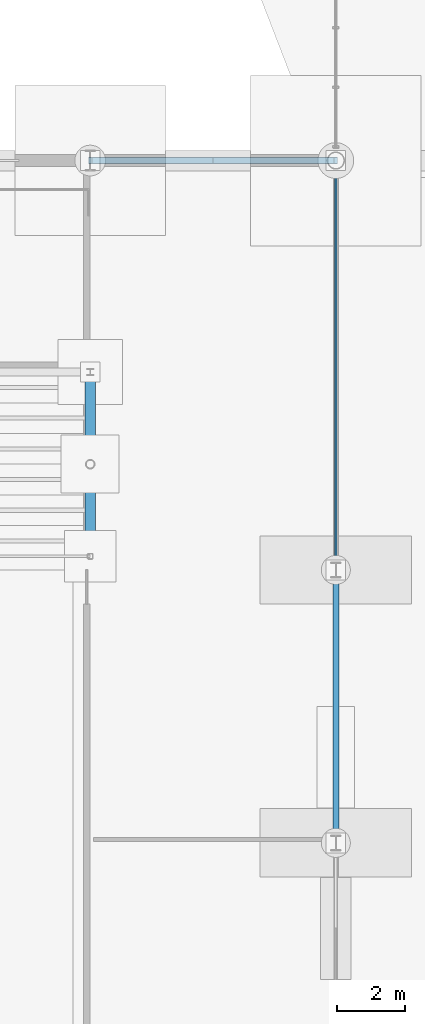
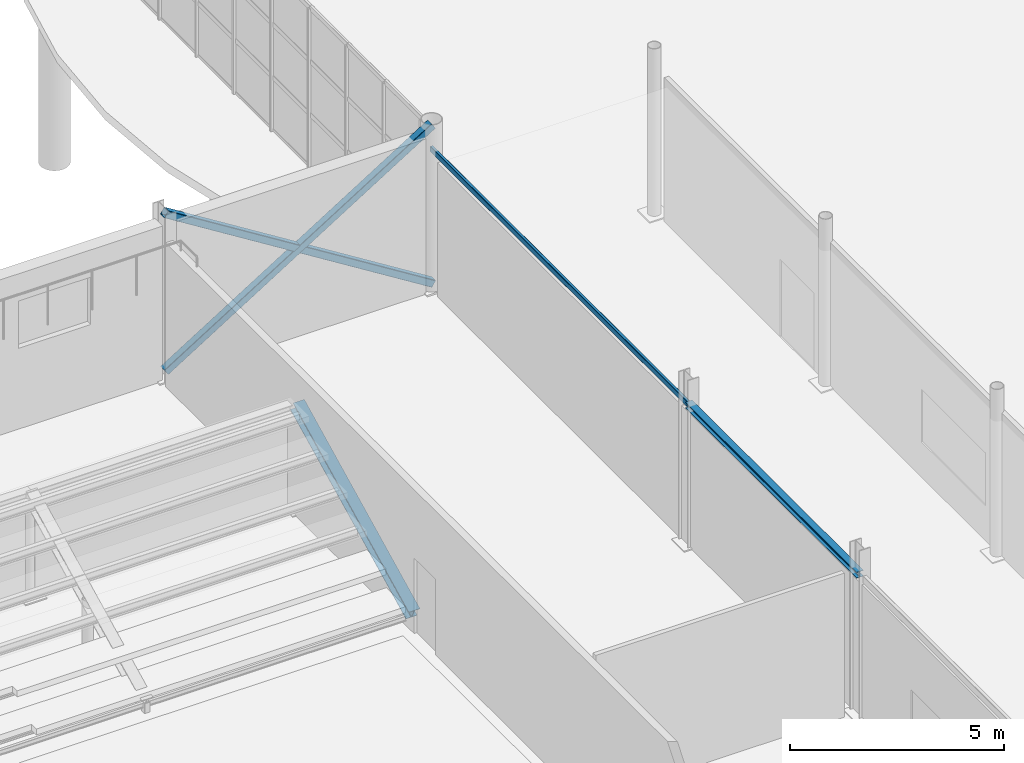
# One storey, part 35 of 101: 3 beams, 2 members.
"""IFC4 building model written with IfcOpenShell, lengths in metres."""

from ifc_helpers import new_model, si_unit, derived_unit, direction, frame, origin, origin_2d, place, context, subcontext, project, spatial, hollow_rectangle, i_section, extrude, material, material_profile, profile_set, type_object, element, save


model = new_model("IFC4")

# Units and contexts
model_context = context("Model", 3, precision=1e-05, world=origin(), true_north=direction((0.0, 1.0)))
body_context = subcontext(model_context, "Body", "Model", "MODEL_VIEW")
ifc_project = project(units=[si_unit("LENGTHUNIT", "METRE"), si_unit("AREAUNIT", "SQUARE_METRE"), si_unit("VOLUMEUNIT", "CUBIC_METRE"), si_unit("PLANEANGLEUNIT", "RADIAN"), si_unit("MASSUNIT", "GRAM", prefix="KILO"), derived_unit("THERMALTRANSMITTANCEUNIT", [(si_unit("POWERUNIT", "WATT"), 1), (si_unit("LENGTHUNIT", "METRE"), -2), (si_unit("THERMODYNAMICTEMPERATUREUNIT", "KELVIN"), -1)])], contexts=[model_context])

# Site, building, storey
site_placement = place(None, origin())
site = spatial("IfcSite", under=ifc_project, at=site_placement, CompositionType="ELEMENT")
building_placement = place(site_placement, origin())
building = spatial("IfcBuilding", under=site, at=building_placement, Name="Keldorne Ridge Multi-Sports Centre", CompositionType="ELEMENT")
storey_placement = place(building_placement, origin())
storey = spatial("IfcBuildingStorey", under=building, at=storey_placement, Name="L00", CompositionType="ELEMENT", Elevation=0.0)

# Beams
ifc_material = material(Name="Steel S355", Category="steel")
ifc_material_profile_1 = material_profile(ifc_material, i_section(OverallWidth=0.300048828125, OverallDepth=0.31005859375, WebThickness=0.009033203125, FlangeThickness=0.015380859375, FilletRadius=0.027099609375, at=origin_2d()), Name="HEA 320")
ifc_profile_set_1 = profile_set([ifc_material_profile_1], Name="Steel S355")
beam_type_1 = type_object("IfcBeamType", Name="BM-B-18", PredefinedType="BEAM", material=ifc_profile_set_1)
beam_1_placement = place(storey_placement, frame((70.800048828125, 42.39990234375, 0.25), z_axis=(0.0, 0.895097940432, 0.445869574017), x_axis=(-1.0, 0.0, 0.0)))
element("IfcBeam", 1, at=beam_1_placement, inside=storey, type_object=beam_type_1, Name="Stand Raker Beam NORTH-08", PredefinedType="BEAM", context=body_context, shape_type="SweptSolid", body=[
    extrude(i_section(OverallWidth=0.300048828125, OverallDepth=0.31005859375, WebThickness=0.009033203125, FlangeThickness=0.015380859375, FilletRadius=0.027099609375, at=origin_2d()), origin(), (0.0, 0.0, 1.0), 6.032958984375),
])
ifc_material_profile_2 = material_profile(ifc_material, i_section(OverallWidth=0.179931640625, OverallDepth=0.1708984375, WebThickness=0.006103515625, FlangeThickness=0.009521484375, FilletRadius=0.014892578125, at=origin_2d()), Name="HEA 180")
ifc_profile_set_2 = profile_set([ifc_material_profile_2], Name="Steel S355")
beam_type_2 = type_object("IfcBeamType", Name="BM-LN-04", PredefinedType="LINTEL", material=ifc_profile_set_2)
beam_2_placement = place(storey_placement, frame((78.0, 34.0, 3.949951171875), z_axis=(0.0, 1.0, 0.0), x_axis=(-1.0, 0.0, 0.0)))
element("IfcBeam", 2, at=beam_2_placement, inside=storey, type_object=beam_type_2, Name="Opening head lintel beam LNT-04", PredefinedType="LINTEL", context=body_context, shape_type="SweptSolid", body=[
    extrude(i_section(OverallWidth=0.179931640625, OverallDepth=0.1708984375, WebThickness=0.006103515625, FlangeThickness=0.009521484375, FilletRadius=0.014892578125, at=origin_2d()), origin(), (0.0, 0.0, 1.0), 8.0),
])
ifc_material_profile_3 = material_profile(ifc_material, hollow_rectangle(XDim=0.080078125, YDim=0.159912109375, WallThickness=0.008056640625, InnerFilletRadius=0.008056640625, OuterFilletRadius=0.01611328125, at=origin_2d()), Name="RHS 160x80x8")
ifc_profile_set_3 = profile_set([ifc_material_profile_3], Name="Steel S355")
beam_type_3 = type_object("IfcBeamType", Name="BM-LN-05", PredefinedType="LINTEL", material=ifc_profile_set_3)
beam_3_placement = place(storey_placement, frame((78.0, 42.0, 3.949951171875), z_axis=(0.0, 1.0, 0.0), x_axis=(-1.0, 0.0, 0.0)))
element("IfcBeam", 3, at=beam_3_placement, inside=storey, type_object=beam_type_3, Name="Opening head lintel beam LNT-05", PredefinedType="LINTEL", context=body_context, shape_type="SweptSolid", body=[
    extrude(hollow_rectangle(XDim=0.080078125, YDim=0.159912109375, WallThickness=0.008056640625, InnerFilletRadius=0.008056640625, OuterFilletRadius=0.01611328125, at=origin_2d()), origin(), (0.0, 0.0, 1.0), 12.0),
])

# Members
ifc_material_profile_4 = material_profile(ifc_material, hollow_rectangle(XDim=0.199951171875, YDim=0.199951171875, WallThickness=0.010009765625, InnerFilletRadius=0.010009765625, OuterFilletRadius=0.02001953125, at=origin_2d()), Name="SHS 200x200x10")
ifc_profile_set_4 = profile_set([ifc_material_profile_4], Name="Steel S355")
member_type = type_object("IfcMemberType", Name="MEM-WB-06", PredefinedType="BRACE", material=ifc_profile_set_4)
for number, where, z_axis, x_axis, name in (
    (4, (70.800048828125, 54.0, 0.14990234375), (0.847996688584, 0.0, 0.530001524668), (0.0, 1.0, 0.0), "Perimeter vertical X-brace V1N-E-A"),
    (5, (70.800048828125, 54.0, 4.64990234375), (0.847996688584, 0.0, -0.530001524668), (0.0, 1.0, 0.0), "Perimeter vertical X-brace V1N-E-B"),
):
    element("IfcMember", number, at=place(storey_placement, frame(where, z_axis=z_axis, x_axis=x_axis)), inside=storey, type_object=member_type, Name=name, PredefinedType="BRACE", context=body_context, shape_type="SweptSolid", body=[
        extrude(hollow_rectangle(XDim=0.199951171875, YDim=0.199951171875, WallThickness=0.010009765625, InnerFilletRadius=0.010009765625, OuterFilletRadius=0.02001953125, at=origin_2d()), origin(), (0.0, 0.0, 1.0), 8.490478515625),
    ])

save(model, "model.ifc")
